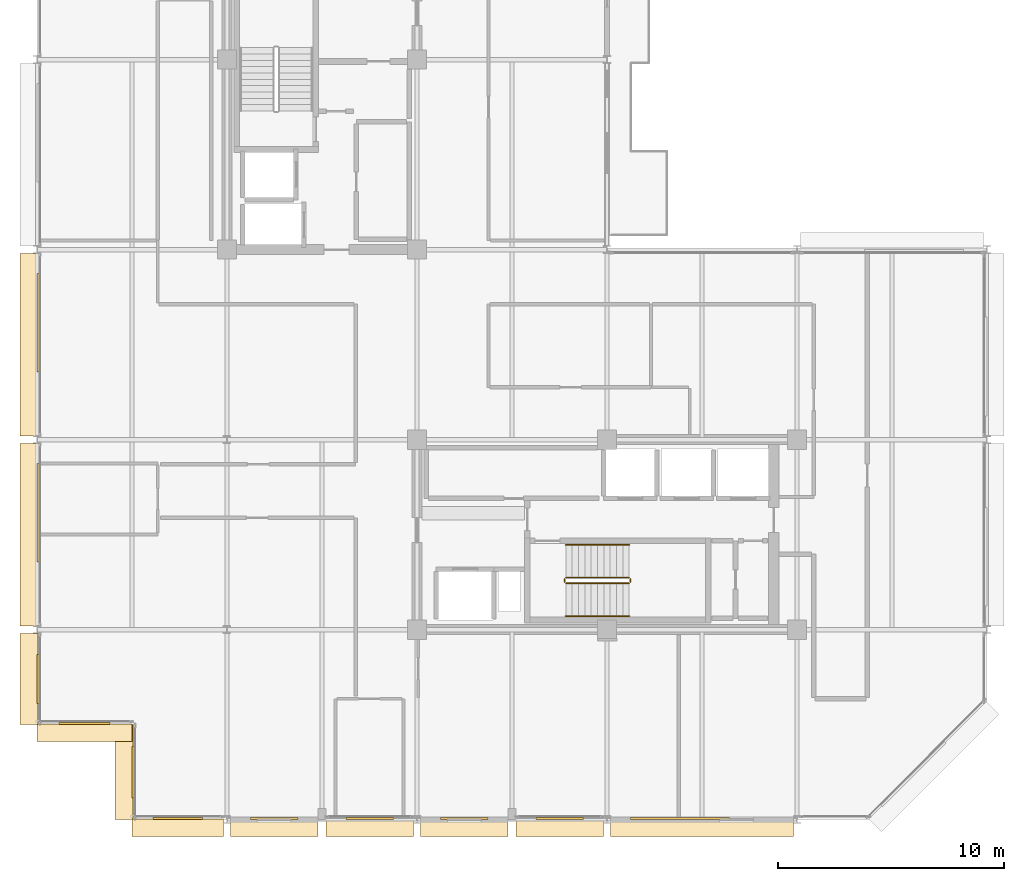
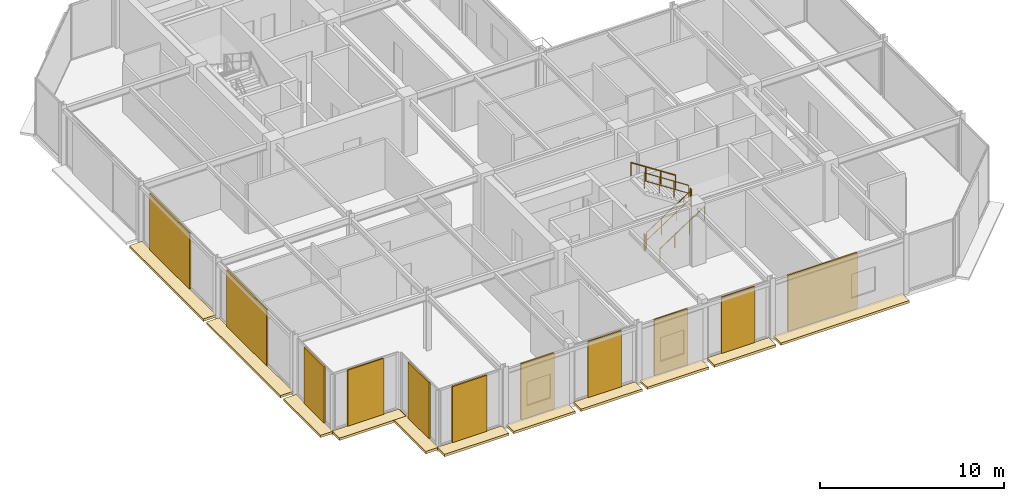
# One storey, part 24 of 27: 22 coverings, 6 railings.
"""IFC4 building model written with IfcOpenShell, lengths in metres."""

from ifc_helpers import new_model, si_unit, direction, frame, origin, origin_2d, place, context, subcontext, project, spatial, polyline, rectangle, circle, outline, extrude, material, layer, layer_set, type_object, element, save


model = new_model("IFC4")

# Units and contexts
model_context = context("Model", 3, precision=1e-05, world=origin(), true_north=direction((0.0, 1.0)))
body_context = subcontext(model_context, "Body", "Model", "MODEL_VIEW")
ifc_project = project(units=[si_unit("LENGTHUNIT", "METRE"), si_unit("AREAUNIT", "SQUARE_METRE"), si_unit("VOLUMEUNIT", "CUBIC_METRE"), si_unit("PLANEANGLEUNIT", "RADIAN"), si_unit("MASSUNIT", "GRAM", prefix="KILO")], contexts=[model_context])

# Site, building, storey
site_placement = place(None, origin())
site = spatial("IfcSite", under=ifc_project, at=site_placement, CompositionType="ELEMENT")
building_placement = place(site_placement, origin())
building = spatial("IfcBuilding", under=site, at=building_placement, Name="Nerrivon Quay Data Exchange", CompositionType="ELEMENT")
storey_placement = place(building_placement, frame((0.0, 0.0, 266.199951171875)))
storey = spatial("IfcBuildingStorey", under=building, at=storey_placement, Name="L63", CompositionType="ELEMENT", Elevation=266.199951171875)

# Coverings
ifc_material_1 = material(Name="Architectural terracotta ceramic", Category="masonry")
ifc_layer_1 = layer(ifc_material_1, 0.159912109375)
ifc_layer_set_1 = layer_set([ifc_layer_1], Name="Architectural terracotta ceramic")
covering_type_1 = type_object("IfcCoveringType", Name="COV-BLD-TERR", PredefinedType="CLADDING", material=ifc_layer_set_1)
covering_1_placement = place(storey_placement, frame((0.0, 0.0, -0.159912109375)))
element("IfcCovering", 1, at=covering_1_placement, inside=storey, type_object=covering_type_1, Name="L63 Horizontal Terracotta SOLAR SCREEN Blade", PredefinedType="CLADDING", context=body_context, shape_type="SweptSolid", body=[
    extrude(outline(polyline([(33.444580078125, 0.0400390625), (25.35546875, 0.0400390625), (25.35546875, -0.75), (33.444580078125, -0.75), (33.444580078125, 0.0400390625)])), origin(), (0.0, 0.0, 1.0), 0.159912109375),
])
covering_2_placement = place(storey_placement, frame((0.0, 0.0, -0.159912109375)))
element("IfcCovering", 2, at=covering_2_placement, inside=storey, type_object=covering_type_1, Name="L63 Horizontal Terracotta SOLAR SCREEN Blade", PredefinedType="CLADDING", context=body_context, shape_type="SweptSolid", body=[
    extrude(outline(polyline([(25.04443359375, 0.0400390625), (21.175048828125, 0.0400390625), (21.175048828125, -0.75), (25.04443359375, -0.75), (25.04443359375, 0.0400390625)])), origin(), (0.0, 0.0, 1.0), 0.159912109375),
])
covering_3_placement = place(storey_placement, frame((0.0, 0.0, -0.159912109375)))
element("IfcCovering", 3, at=covering_3_placement, inside=storey, type_object=covering_type_1, Name="L63 Horizontal Terracotta SOLAR SCREEN Blade", PredefinedType="CLADDING", context=body_context, shape_type="SweptSolid", body=[
    extrude(outline(polyline([(20.824951171875, 0.0400390625), (16.95556640625, 0.0400390625), (16.95556640625, -0.75), (20.824951171875, -0.75), (20.824951171875, 0.0400390625)])), origin(), (0.0, 0.0, 1.0), 0.159912109375),
])
covering_4_placement = place(storey_placement, frame((0.0, 0.0, -0.159912109375)))
element("IfcCovering", 4, at=covering_4_placement, inside=storey, type_object=covering_type_1, Name="L63 Horizontal Terracotta SOLAR SCREEN Blade", PredefinedType="CLADDING", context=body_context, shape_type="SweptSolid", body=[
    extrude(outline(polyline([(16.64453125, 0.0400390625), (12.77490234375, 0.0400390625), (12.77490234375, -0.75), (16.64453125, -0.75), (16.64453125, 0.0400390625)])), origin(), (0.0, 0.0, 1.0), 0.159912109375),
])
covering_5_placement = place(storey_placement, frame((0.0, 0.0, -0.159912109375)))
element("IfcCovering", 5, at=covering_5_placement, inside=storey, type_object=covering_type_1, Name="L63 Horizontal Terracotta SOLAR SCREEN Blade", PredefinedType="CLADDING", context=body_context, shape_type="SweptSolid", body=[
    extrude(outline(polyline([(12.425048828125, 0.0400390625), (8.555419921875, 0.0400390625), (8.555419921875, -0.75), (12.425048828125, -0.75), (12.425048828125, 0.0400390625)])), origin(), (0.0, 0.0, 1.0), 0.159912109375),
])
covering_6_placement = place(storey_placement, frame((0.0, 0.0, -0.159912109375)))
element("IfcCovering", 6, at=covering_6_placement, inside=storey, type_object=covering_type_1, Name="L63 Horizontal Terracotta SOLAR SCREEN Blade", PredefinedType="CLADDING", context=body_context, shape_type="SweptSolid", body=[
    extrude(outline(polyline([(8.244384765625, 0.0400390625), (4.199951171875, 0.0400390625), (4.199951171875, -0.75), (8.244384765625, -0.75), (8.244384765625, 0.0400390625)])), origin(), (0.0, 0.0, 1.0), 0.159912109375),
])
covering_7_placement = place(storey_placement, frame((0.0, 0.0, -0.159912109375)))
element("IfcCovering", 7, at=covering_7_placement, inside=storey, type_object=covering_type_1, Name="L63 Horizontal Terracotta SOLAR SCREEN Blade", PredefinedType="CLADDING", context=body_context, shape_type="SweptSolid", body=[
    extrude(outline(polyline([(4.239990234375, 0.0), (4.239990234375, 4.199951171875), (3.449951171875, 4.199951171875), (3.449951171875, 0.0), (4.239990234375, 0.0)])), origin(), (0.0, 0.0, 1.0), 0.159912109375),
])
covering_8_placement = place(storey_placement, frame((0.0, 0.0, -0.159912109375)))
element("IfcCovering", 8, at=covering_8_placement, inside=storey, type_object=covering_type_1, Name="L63 Horizontal Terracotta SOLAR SCREEN Blade", PredefinedType="CLADDING", context=body_context, shape_type="SweptSolid", body=[
    extrude(outline(polyline([(4.199951171875, 4.239990234375), (0.0, 4.239990234375), (0.0, 3.449951171875), (4.199951171875, 3.449951171875), (4.199951171875, 4.239990234375)])), origin(), (0.0, 0.0, 1.0), 0.159912109375),
])
covering_9_placement = place(storey_placement, frame((0.0, 0.0, -0.159912109375)))
element("IfcCovering", 9, at=covering_9_placement, inside=storey, type_object=covering_type_1, Name="L63 Horizontal Terracotta SOLAR SCREEN Blade", PredefinedType="CLADDING", context=body_context, shape_type="SweptSolid", body=[
    extrude(outline(polyline([(0.0400390625, 4.199951171875), (0.0400390625, 8.236572265625), (-0.75, 8.236572265625), (-0.75, 4.199951171875), (0.0400390625, 4.199951171875)])), origin(), (0.0, 0.0, 1.0), 0.159912109375),
])
covering_10_placement = place(storey_placement, frame((0.0, 0.0, -0.159912109375)))
element("IfcCovering", 10, at=covering_10_placement, inside=storey, type_object=covering_type_1, Name="L63 Horizontal Terracotta SOLAR SCREEN Blade", PredefinedType="CLADDING", context=body_context, shape_type="SweptSolid", body=[
    extrude(outline(polyline([(0.0400390625, 8.5634765625), (0.0400390625, 16.636474609375), (-0.75, 16.636474609375), (-0.75, 8.5634765625), (0.0400390625, 8.5634765625)])), origin(), (0.0, 0.0, 1.0), 0.159912109375),
])
covering_11_placement = place(storey_placement, frame((0.0, 0.0, -0.159912109375)))
element("IfcCovering", 11, at=covering_11_placement, inside=storey, type_object=covering_type_1, Name="L63 Horizontal Terracotta SOLAR SCREEN Blade", PredefinedType="CLADDING", context=body_context, shape_type="SweptSolid", body=[
    extrude(outline(polyline([(0.0400390625, 16.96337890625), (0.0400390625, 25.03662109375), (-0.75, 25.03662109375), (-0.75, 16.96337890625), (0.0400390625, 16.96337890625)])), origin(), (0.0, 0.0, 1.0), 0.159912109375),
])
ifc_layer_2 = layer(ifc_material_1, 0.090087890625)
ifc_layer_set_2 = layer_set([ifc_layer_2], Name="Architectural terracotta ceramic")
covering_type_2 = type_object("IfcCoveringType", Name="COV-SCR-TERR", PredefinedType="CLADDING", material=ifc_layer_set_2)
covering_12_placement = place(storey_placement, frame((28.42919921875, 0.044921875, 0.0), z_axis=(0.0, 0.0, 1.0), x_axis=(-1.0, 0.0, 0.0)))
element("IfcCovering", 12, at=covering_12_placement, inside=storey, type_object=covering_type_2, Name="L63 Perforated Terracotta SOLAR SCREEN Cassette", PredefinedType="CLADDING", context=body_context, shape_type="SweptSolid", body=[
    extrude(rectangle(XDim=4.367919921875, YDim=0.090087890625, at=origin_2d()), origin(), (0.0, 0.0, 1.0), 3.72509765625),
])
for number, where, z_axis, x_axis, name in (
    (13, (23.109619140625, 0.044921875, 0.0), (0.0, 0.0, 1.0), (-1.0, 0.0, 0.0), "L63 Perforated Terracotta SOLAR SCREEN Cassette"),
    (14, (18.890380859375, 0.044921875, 0.0), (0.0, 0.0, 1.0), (-1.0, 0.0, 0.0), "L63 Perforated Terracotta SOLAR SCREEN Cassette"),
    (15, (14.709716796875, 0.044921875, 0.0), (0.0, 0.0, 1.0), (-1.0, 0.0, 0.0), "L63 Perforated Terracotta SOLAR SCREEN Cassette"),
    (16, (10.490234375, 0.044921875, 0.0), (0.0, 0.0, 1.0), (-1.0, 0.0, 0.0), "L63 Perforated Terracotta SOLAR SCREEN Cassette"),
):
    element("IfcCovering", number, at=place(storey_placement, frame(where, z_axis=z_axis, x_axis=x_axis)), inside=storey, type_object=covering_type_2, Name=name, PredefinedType="CLADDING", context=body_context, shape_type="SweptSolid", body=[
        extrude(rectangle(XDim=2.090087890625, YDim=0.090087890625, at=origin_2d()), origin(), (0.0, 0.0, 1.0), 3.72509765625),
    ])
covering_13_placement = place(storey_placement, frame((6.222412109375, 0.044921875, 0.0), z_axis=(0.0, 0.0, 1.0), x_axis=(-1.0, 0.0, 0.0)))
element("IfcCovering", 17, at=covering_13_placement, inside=storey, type_object=covering_type_2, Name="L63 Perforated Terracotta SOLAR SCREEN Cassette", PredefinedType="CLADDING", context=body_context, shape_type="SweptSolid", body=[
    extrude(rectangle(XDim=2.18408203125, YDim=0.090087890625, at=origin_2d()), origin(), (0.0, 0.0, 1.0), 3.72509765625),
])
for number, where, z_axis, x_axis, name in (
    (18, (4.2451171875, 2.10009765625, 0.0), (0.0, 0.0, 1.0), (0.0, 1.0, 0.0), "L63 Perforated Terracotta SOLAR SCREEN Cassette"),
    (19, (2.10009765625, 4.2451171875, 0.0), (0.0, 0.0, 1.0), (-1.0, 0.0, 0.0), "L63 Perforated Terracotta SOLAR SCREEN Cassette"),
):
    element("IfcCovering", number, at=place(storey_placement, frame(where, z_axis=z_axis, x_axis=x_axis)), inside=storey, type_object=covering_type_2, Name=name, PredefinedType="CLADDING", context=body_context, shape_type="SweptSolid", body=[
        extrude(rectangle(XDim=2.26806640625, YDim=0.090087890625, at=origin_2d()), origin(), (0.0, 0.0, 1.0), 3.72509765625),
    ])
covering_14_placement = place(storey_placement, frame((0.044921875, 6.21826171875, 0.0), z_axis=(0.0, 0.0, 1.0), x_axis=(0.0, 1.0, 0.0)))
element("IfcCovering", 20, at=covering_14_placement, inside=storey, type_object=covering_type_2, Name="L63 Perforated Terracotta SOLAR SCREEN Cassette", PredefinedType="CLADDING", context=body_context, shape_type="SweptSolid", body=[
    extrude(rectangle(XDim=2.179931640625, YDim=0.090087890625, at=origin_2d()), origin(), (0.0, 0.0, 1.0), 3.72509765625),
])
for number, where, z_axis, x_axis, name in (
    (21, (0.044921875, 13.56884765625, 0.0), (0.0, 0.0, 1.0), (0.0, 1.0, 0.0), "L63 Perforated Terracotta SOLAR SCREEN Cassette"),
    (22, (0.044921875, 21.96875, 0.0), (0.0, 0.0, 1.0), (0.0, 1.0, 0.0), "L63 Perforated Terracotta SOLAR SCREEN Cassette"),
):
    element("IfcCovering", number, at=place(storey_placement, frame(where, z_axis=z_axis, x_axis=x_axis)), inside=storey, type_object=covering_type_2, Name=name, PredefinedType="CLADDING", context=body_context, shape_type="SweptSolid", body=[
        extrude(rectangle(XDim=4.35888671875, YDim=0.090087890625, at=origin_2d()), origin(), (0.0, 0.0, 1.0), 3.72509765625),
    ])

# Railings
ifc_material_2 = material(Name="Steel Grade C350L0 (350 MPa)", Category="steel")
railing_type_1 = type_object("IfcRailingType", Name="RAIL-HAND-HR1", PredefinedType="HANDRAIL", material=ifc_material_2)
railing_1_placement = place(storey_placement, frame((23.3798828125, 9.0, 0.181884765625)))
element("IfcRailing", 23, at=railing_1_placement, inside=storey, type_object=railing_type_1, Name="L63 ST02 stair handrail 1", PredefinedType="HANDRAIL", context=body_context, shape_type="SweptSolid", body=[
    extrude(circle(Radius=0.02392578125, at=origin_2d()), frame((0.0, 0.0, 0.8759765625), z_axis=(0.838705829183, 0.0, 0.544584733623), x_axis=(0.0, 1.0, 0.0)), (0.0, 0.0, 1.0), 3.338623046875),
    extrude(circle(Radius=0.02099609375, at=origin_2d()), origin(), (0.0, 0.0, 1.0), 0.851806640625),
    extrude(circle(Radius=0.02099609375, at=origin_2d()), frame((0.933349609375, 0.0, 0.60595703125)), (0.0, 0.0, 1.0), 0.851806640625),
    extrude(circle(Radius=0.02099609375, at=origin_2d()), frame((1.86669921875, 0.0, 1.212158203125)), (0.0, 0.0, 1.0), 0.851806640625),
    extrude(circle(Radius=0.02099609375, at=origin_2d()), frame((2.800048828125, 0.0, 1.818115234375)), (0.0, 0.0, 1.0), 0.851806640625),
])
railing_2_placement = place(storey_placement, frame((26.179931640625, 12.14990234375, 2.181884765625)))
element("IfcRailing", 24, at=railing_2_placement, inside=storey, type_object=railing_type_1, Name="L63 ST02 stair handrail 2", PredefinedType="HANDRAIL", context=body_context, shape_type="SweptSolid", body=[
    extrude(circle(Radius=0.02392578125, at=origin_2d()), frame((0.0, 0.0, 0.8759765625), z_axis=(-0.838705829183, 0.0, 0.544584733623), x_axis=(0.0, -1.0, 0.0)), (0.0, 0.0, 1.0), 3.338623046875),
    extrude(circle(Radius=0.02099609375, at=origin_2d()), origin(), (0.0, 0.0, 1.0), 0.851806640625),
    extrude(circle(Radius=0.02099609375, at=origin_2d()), frame((-0.933349609375, 0.0, 0.60595703125)), (0.0, 0.0, 1.0), 0.851806640625),
    extrude(circle(Radius=0.02099609375, at=origin_2d()), frame((-1.86669921875, 0.0, 1.212158203125)), (0.0, 0.0, 1.0), 0.851806640625),
    extrude(circle(Radius=0.02099609375, at=origin_2d()), frame((-2.800048828125, 0.0, 1.818115234375)), (0.0, 0.0, 1.0), 0.851806640625),
])
railing_type_2 = type_object("IfcRailingType", Name="RAIL-STAIR-GR1", PredefinedType="BALUSTRADE", material=ifc_material_2)
railing_3_placement = place(storey_placement, frame((23.3798828125, 10.449951171875, 0.181884765625)))
element("IfcRailing", 25, at=railing_3_placement, inside=storey, type_object=railing_type_2, Name="L63 ST02 stair guard 1", PredefinedType="BALUSTRADE", context=body_context, shape_type="SweptSolid", body=[
    extrude(circle(Radius=0.02392578125, at=origin_2d()), frame((0.0, 0.0, 1.076171875), z_axis=(0.838705829183, 0.0, 0.544584733623), x_axis=(0.0, 1.0, 0.0)), (0.0, 0.0, 1.0), 3.338623046875),
    extrude(circle(Radius=0.02392578125, at=origin_2d()), frame((0.0, 0.0, 0.550048828125), z_axis=(0.838705829183, 0.0, 0.544584733623), x_axis=(0.0, 1.0, 0.0)), (0.0, 0.0, 1.0), 3.338623046875),
    extrude(circle(Radius=0.02099609375, at=origin_2d()), origin(), (0.0, 0.0, 1.0), 1.052001953125),
    extrude(circle(Radius=0.02099609375, at=origin_2d()), frame((0.933349609375, 0.0, 0.60595703125)), (0.0, 0.0, 1.0), 1.052001953125),
    extrude(circle(Radius=0.02099609375, at=origin_2d()), frame((1.86669921875, 0.0, 1.212158203125)), (0.0, 0.0, 1.0), 1.052001953125),
    extrude(circle(Radius=0.02099609375, at=origin_2d()), frame((2.800048828125, 0.0, 1.818115234375)), (0.0, 0.0, 1.0), 1.052001953125),
])
railing_4_placement = place(storey_placement, frame((26.22998046875, 10.5, 2.0)))
element("IfcRailing", 26, at=railing_4_placement, inside=storey, type_object=railing_type_2, Name="L63 ST02 stair guard 2", PredefinedType="BALUSTRADE", context=body_context, shape_type="SweptSolid", body=[
    extrude(circle(Radius=0.02392578125, at=origin_2d()), frame((0.0, 0.0, 1.076171875), z_axis=(0.0, 1.0, 0.0), x_axis=(-1.0, 0.0, 0.0)), (0.0, 0.0, 1.0), 0.14990234375),
    extrude(circle(Radius=0.02392578125, at=origin_2d()), frame((0.0, 0.0, 0.550048828125), z_axis=(0.0, 1.0, 0.0), x_axis=(-1.0, 0.0, 0.0)), (0.0, 0.0, 1.0), 0.14990234375),
    extrude(circle(Radius=0.02099609375, at=origin_2d()), origin(), (0.0, 0.0, 1.0), 1.052001953125),
    extrude(circle(Radius=0.02099609375, at=origin_2d()), frame((0.0, 0.14990234375, 0.0)), (0.0, 0.0, 1.0), 1.052001953125),
])
railing_5_placement = place(storey_placement, frame((26.179931640625, 10.699951171875, 2.181884765625)))
element("IfcRailing", 27, at=railing_5_placement, inside=storey, type_object=railing_type_2, Name="L63 ST02 stair guard 3", PredefinedType="BALUSTRADE", context=body_context, shape_type="SweptSolid", body=[
    extrude(circle(Radius=0.02392578125, at=origin_2d()), frame((0.0, 0.0, 1.076171875), z_axis=(-0.838705829183, 0.0, 0.544584733623), x_axis=(0.0, -1.0, 0.0)), (0.0, 0.0, 1.0), 3.338623046875),
    extrude(circle(Radius=0.02392578125, at=origin_2d()), frame((0.0, 0.0, 0.550048828125), z_axis=(-0.838705829183, 0.0, 0.544584733623), x_axis=(0.0, -1.0, 0.0)), (0.0, 0.0, 1.0), 3.338623046875),
    extrude(circle(Radius=0.02099609375, at=origin_2d()), origin(), (0.0, 0.0, 1.0), 1.052001953125),
    extrude(circle(Radius=0.02099609375, at=origin_2d()), frame((-0.933349609375, 0.0, 0.60595703125)), (0.0, 0.0, 1.0), 1.052001953125),
    extrude(circle(Radius=0.02099609375, at=origin_2d()), frame((-1.86669921875, 0.0, 1.212158203125)), (0.0, 0.0, 1.0), 1.052001953125),
    extrude(circle(Radius=0.02099609375, at=origin_2d()), frame((-2.800048828125, 0.0, 1.818115234375)), (0.0, 0.0, 1.0), 1.052001953125),
])
railing_6_placement = place(storey_placement, frame((23.330078125, 10.5, 0.0)))
element("IfcRailing", 28, at=railing_6_placement, inside=storey, type_object=railing_type_2, Name="L63 ST02 stair guard 4", PredefinedType="BALUSTRADE", context=body_context, shape_type="SweptSolid", body=[
    extrude(circle(Radius=0.02392578125, at=origin_2d()), frame((0.0, 0.0, 1.076171875), z_axis=(0.0, 1.0, 0.0), x_axis=(-1.0, 0.0, 0.0)), (0.0, 0.0, 1.0), 0.14990234375),
    extrude(circle(Radius=0.02392578125, at=origin_2d()), frame((0.0, 0.0, 0.550048828125), z_axis=(0.0, 1.0, 0.0), x_axis=(-1.0, 0.0, 0.0)), (0.0, 0.0, 1.0), 0.14990234375),
    extrude(circle(Radius=0.02099609375, at=origin_2d()), origin(), (0.0, 0.0, 1.0), 1.052001953125),
    extrude(circle(Radius=0.02099609375, at=origin_2d()), frame((0.0, 0.14990234375, 0.0)), (0.0, 0.0, 1.0), 1.052001953125),
])

save(model, "model.ifc")
